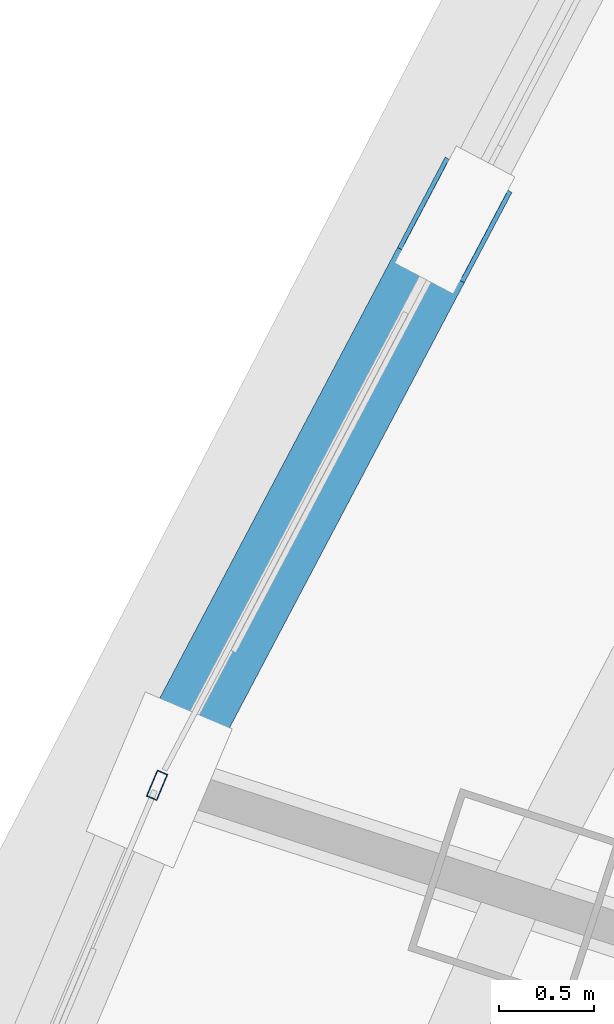
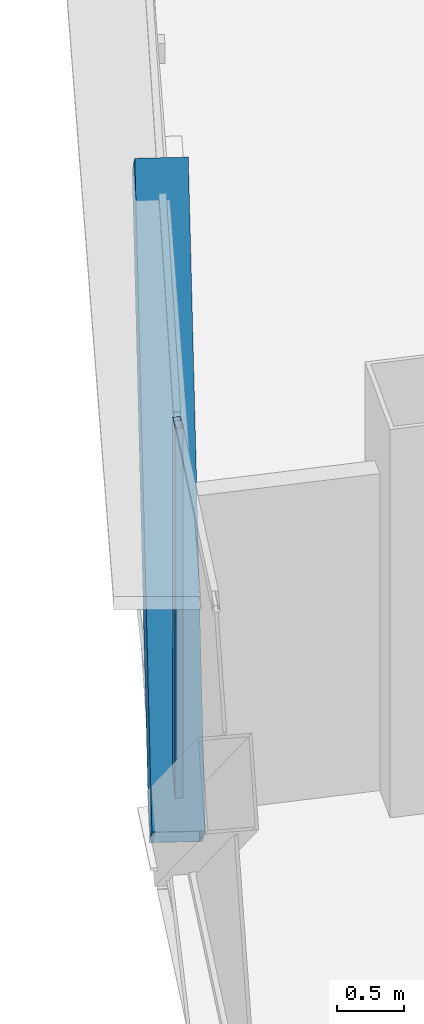
# One storey, part 8 of 37: 2 members, 1 element without a shape of its own.
"""IFC4 building model written with IfcOpenShell, lengths in metres."""

from ifc_helpers import new_model, si_unit, direction, frame, origin, origin_2d, place, context, subcontext, project, spatial, hollow_rectangle, extrude, source, transform, mapped, material, layer, layer_set, material_profile, profile_set, type_object, element, aggregate, save


model = new_model("IFC4")

# Units and contexts
model_context = context("Model", 3, precision=1e-05, world=origin(), true_north=direction((0.0, 1.0)))
body_context = subcontext(model_context, "Body", "Model", "MODEL_VIEW")
ifc_project = project(units=[si_unit("LENGTHUNIT", "METRE"), si_unit("AREAUNIT", "SQUARE_METRE"), si_unit("VOLUMEUNIT", "CUBIC_METRE"), si_unit("PLANEANGLEUNIT", "RADIAN"), si_unit("MASSUNIT", "GRAM", prefix="KILO"), si_unit("THERMODYNAMICTEMPERATUREUNIT", "KELVIN"), si_unit("POWERUNIT", "WATT")], contexts=[model_context])

# Site, building, storey
site_placement = place(None, origin())
site = spatial("IfcSite", under=ifc_project, at=site_placement, CompositionType="ELEMENT")
building_placement = place(site_placement, origin())
building = spatial("IfcBuilding", under=site, at=building_placement, Name="Yunzhuo Pagoda Commons", CompositionType="ELEMENT")
storey_placement = place(building_placement, frame((0.0, 0.0, 192.360107421875)))
storey = spatial("IfcBuildingStorey", under=building, at=storey_placement, Name="L48", CompositionType="ELEMENT", Elevation=192.360107421875)

# Member
ifc_material_1 = material(Name="Structural steel Q355B", Category="steel")
ifc_material_profile_1 = material_profile(ifc_material_1, hollow_rectangle(XDim=0.39990234375, YDim=0.719970703125, WallThickness=0.02392578125, at=origin_2d()), Name="Structural steel Q355B")
ifc_profile_set_1 = profile_set([ifc_material_profile_1], Name="Structural steel Q355B")
member_type_1 = type_object("IfcMemberType", Name="M-DL2 Brace BOX 720x400x24", PredefinedType="BRACE", material=ifc_profile_set_1)
shared_shape_1 = source(origin(), body_context, "Body", "SweptSolid", [
    extrude(hollow_rectangle(XDim=0.39990234375, YDim=0.719970703125, WallThickness=0.02392578125, at=origin_2d()), origin(), (0.0, 0.0, 1.0), 5.065673828125),
])
member_1_placement = place(storey_placement, frame((17.623779296875, 43.56982421875, -0.260009765625), z_axis=(0.308550295467, 0.584905714743, 0.75012133687), x_axis=(-0.884478331811, 0.466581268973, 0.0)))
element("IfcMember", 1, at=member_1_placement, inside=storey, type_object=member_type_1, Name="L48 facade diamond brace F3.2R", PredefinedType="BRACE", context=body_context, shape_type="MappedRepresentation", body=[
    mapped(shared_shape_1, transform((0.0, 0.0, 0.0), scale=1.0)),
])

# Curtain wall, member
ifc_material_2 = material(Name="Anodized aluminium 6063-T6", Category="aluminium")
ifc_layer = layer(ifc_material_2, 0.14990234375)
ifc_layer_set = layer_set([ifc_layer], Name="Anodized aluminium 6063-T6")
curtain_wall_type = type_object("IfcCurtainWallType", Name="CW-MID Mid-Zone Ribbon Curtain Wall", PredefinedType="NOTDEFINED", material=ifc_layer_set)
curtain_wall_placement = place(storey_placement, origin())
curtain_wall = element("IfcCurtainWall", 2, at=curtain_wall_placement, inside=storey, type_object=curtain_wall_type, Name="L48 curtain wall CW-L48-F3B4", PredefinedType="NOTDEFINED")
ifc_material_profile_2 = material_profile(ifc_material_2, hollow_rectangle(XDim=0.06005859375, YDim=0.14990234375, WallThickness=0.00390625, at=origin_2d()), Name="Anodized aluminium 6063-T6")
ifc_profile_set_2 = profile_set([ifc_material_profile_2], Name="Anodized aluminium 6063-T6")
member_type_2 = type_object("IfcMemberType", Name="CW-MID-M Mullion RHS 150x60x4", PredefinedType="MULLION", material=ifc_profile_set_2)
shared_shape_2 = source(origin(), body_context, "Body", "SweptSolid", [
    extrude(hollow_rectangle(XDim=0.06005859375, YDim=0.14990234375, WallThickness=0.00390625, at=origin_2d()), origin(), (0.0, 0.0, 1.0), 3.539794921875),
])
member_2_placement = place(storey_placement, frame((17.6123046875, 43.542236328125, 0.0), z_axis=(0.0, 0.0, 1.0), x_axis=(0.920666607247, -0.390349840912, 0.0)))
member_2 = element("IfcMember", 3, at=member_2_placement, type_object=member_type_2, Name="CW mullion 1", PredefinedType="MULLION", context=body_context, shape_type="MappedRepresentation", body=[
    mapped(shared_shape_2, transform((0.0, 0.0, 0.0), scale=1.0)),
])
aggregate(curtain_wall, [member_2])

save(model, "model.ifc")
